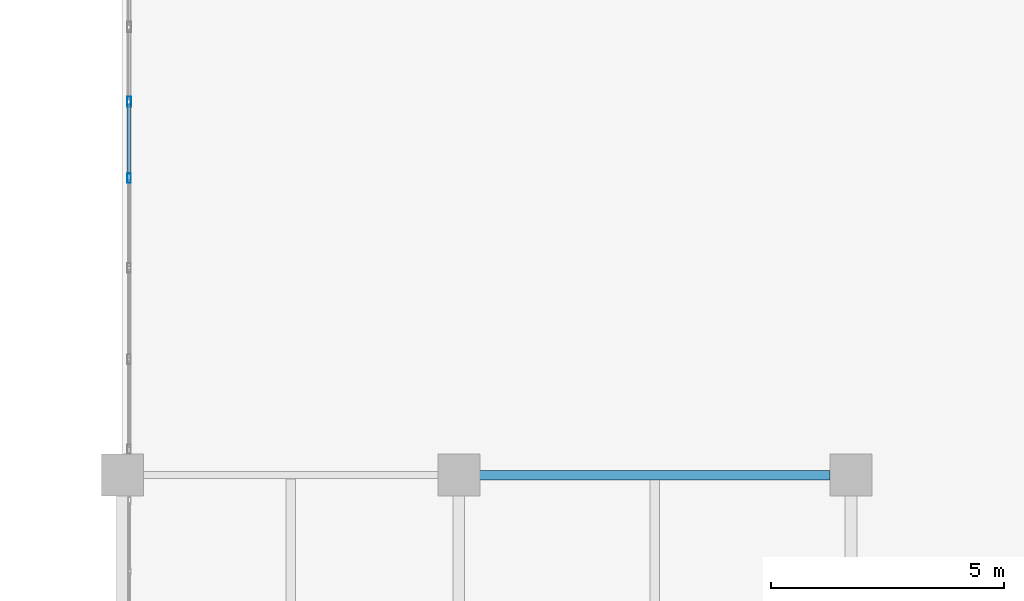
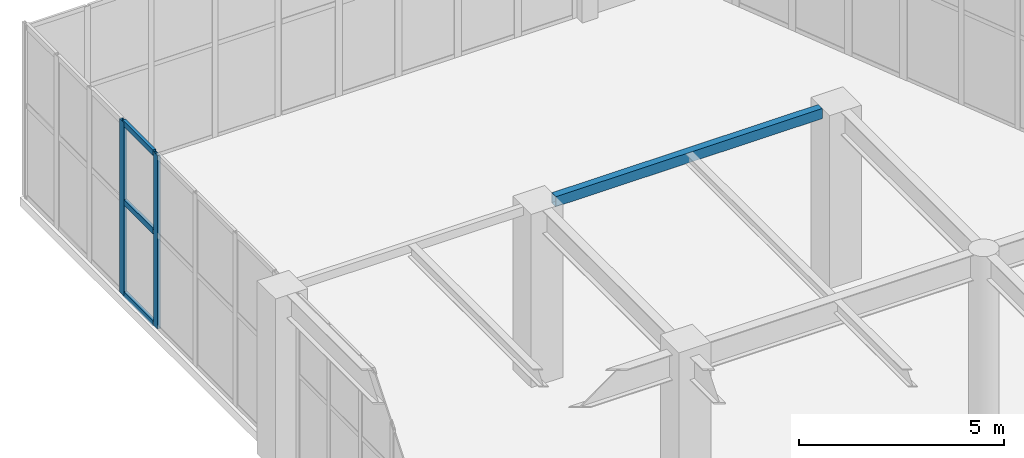
# One storey, part 61 of 139: 5 members, 1 beam, 2 elements without a shape of their own.
"""IFC4 building model written with IfcOpenShell, lengths in metres."""

from ifc_helpers import new_model, si_unit, direction, frame, origin, origin_2d, place, context, subcontext, project, spatial, hollow_rectangle, extrude, material, layer, layer_set, material_profile, profile_set, type_object, element, aggregate, save


model = new_model("IFC4")

# Units and contexts
model_context = context("Model", 3, precision=1e-05, world=origin(), true_north=direction((0.0, 1.0)))
body_context = subcontext(model_context, "Body", "Model", "MODEL_VIEW")
ifc_project = project(units=[si_unit("LENGTHUNIT", "METRE"), si_unit("AREAUNIT", "SQUARE_METRE"), si_unit("VOLUMEUNIT", "CUBIC_METRE"), si_unit("PLANEANGLEUNIT", "RADIAN"), si_unit("MASSUNIT", "GRAM", prefix="KILO")], contexts=[model_context])

# Site, building, storey
site_placement = place(None, origin())
site = spatial("IfcSite", under=ifc_project, at=site_placement, CompositionType="ELEMENT")
building_placement = place(site_placement, origin())
building = spatial("IfcBuilding", under=site, at=building_placement, Name="Xicomal Pleat Aquarium", CompositionType="ELEMENT")
storey_placement = place(building_placement, origin())
storey = spatial("IfcBuildingStorey", under=building, at=storey_placement, Name="L01", CompositionType="ELEMENT", Elevation=0.0)

# Beam
ifc_material_1 = material(Name="Structural steel A500 Gr C", Category="steel")
ifc_material_profile_1 = material_profile(ifc_material_1, hollow_rectangle(XDim=0.199951171875, YDim=0.300048828125, WallThickness=0.011962890625, at=origin_2d()), Name="OR 300x200x12")
ifc_profile_set_1 = profile_set([ifc_material_profile_1], Name="Structural steel A500 Gr C")
beam_type = type_object("IfcBeamType", Name="BM-STL-OR300", PredefinedType="SPANDREL", material=ifc_profile_set_1)
beam_placement = place(storey_placement, frame((10.64501953125, 98.39990234375, 5.010009765625), z_axis=(1.0, 0.0, 0.0), x_axis=(0.0, 1.0, 0.0)))
element("IfcBeam", 1, at=beam_placement, inside=storey, type_object=beam_type, Name="L01 framing beam FGX-L01-02-03-P", PredefinedType="SPANDREL", context=body_context, shape_type="SweptSolid", body=[
    extrude(hollow_rectangle(XDim=0.199951171875, YDim=0.300048828125, WallThickness=0.011962890625, at=origin_2d()), origin(), (0.0, 0.0, 1.0), 7.510009765625),
])

# Curtain wall, member
ifc_material_2 = material(Name="Bronze anodized aluminium 6063-T6", Category="aluminium")
ifc_layer_1 = layer(ifc_material_2, 0.159912109375)
ifc_layer_set_1 = layer_set([ifc_layer_1], Name="Bronze anodized aluminium 6063-T6")
curtain_wall_type_1 = type_object("IfcCurtainWallType", Name="CW-SYS-06", PredefinedType="NOTDEFINED", material=ifc_layer_set_1)
curtain_wall_1_placement = place(storey_placement, origin())
curtain_wall_1 = element("IfcCurtainWall", 2, at=curtain_wall_1_placement, inside=storey, type_object=curtain_wall_type_1, Name="L01 unitised curtain wall CW-L01-013", PredefinedType="NOTDEFINED")
ifc_material_3 = material(Name="Bronze anodized aluminium 6063-T6", Category="aluminium")
ifc_material_profile_2 = material_profile(ifc_material_3, hollow_rectangle(XDim=0.074951171875, YDim=0.199951171875, WallThickness=0.00439453125, at=origin_2d()), Name="ALU MULL 75x200")
ifc_profile_set_2 = profile_set([ifc_material_profile_2], Name="Bronze anodized aluminium 6063-T6")
member_type_1 = type_object("IfcMemberType", Name="CWM-75x200", PredefinedType="MULLION", material=ifc_profile_set_2)
member_1_placement = place(storey_placement, frame((3.139892578125, 104.762451171875, 0.0), z_axis=(0.0, 0.0, 1.0), x_axis=(-1.0, 0.0, 0.0)))
member_1 = element("IfcMember", 3, at=member_1_placement, type_object=member_type_1, Name="CW-06 mullion 4", PredefinedType="MULLION", context=body_context, shape_type="SweptSolid", body=[
    extrude(hollow_rectangle(XDim=0.074951171875, YDim=0.199951171875, WallThickness=0.00439453125, at=origin_2d()), origin(), (0.0, 0.0, 1.0), 5.159912109375),
])
aggregate(curtain_wall_1, [member_1])

# Curtain wall, members
ifc_material_4 = material(Name="Bronze anodized aluminium 6063-T6", Category="aluminium")
ifc_layer_2 = layer(ifc_material_4, 0.159912109375)
ifc_layer_set_2 = layer_set([ifc_layer_2], Name="Bronze anodized aluminium 6063-T6")
curtain_wall_type_2 = type_object("IfcCurtainWallType", Name="CW-SYS-11", PredefinedType="NOTDEFINED", material=ifc_layer_set_2)
curtain_wall_2_placement = place(storey_placement, origin())
curtain_wall_2 = element("IfcCurtainWall", 4, at=curtain_wall_2_placement, inside=storey, type_object=curtain_wall_type_2, Name="L01 unitised curtain wall CW-L01-014", PredefinedType="NOTDEFINED")
ifc_material_5 = material(Name="Bronze anodized aluminium 6063-T6", Category="aluminium")
ifc_material_profile_3 = material_profile(ifc_material_5, hollow_rectangle(XDim=0.0849609375, YDim=0.219970703125, WallThickness=0.0048828125, at=origin_2d()), Name="ALU MULL 85x220")
ifc_profile_set_3 = profile_set([ifc_material_profile_3], Name="Bronze anodized aluminium 6063-T6")
member_type_2 = type_object("IfcMemberType", Name="CWM-85x220", PredefinedType="MULLION", material=ifc_profile_set_3)
member_2_placement = place(storey_placement, frame((3.139892578125, 106.39990234375, 0.0), z_axis=(0.0, 0.0, 1.0), x_axis=(-1.0, 0.0, 0.0)))
member_2 = element("IfcMember", 5, at=member_2_placement, type_object=member_type_2, Name="CW-11 mullion 2", PredefinedType="MULLION", context=body_context, shape_type="SweptSolid", body=[
    extrude(hollow_rectangle(XDim=0.0849609375, YDim=0.219970703125, WallThickness=0.0048828125, at=origin_2d()), origin(), (0.0, 0.0, 1.0), 5.159912109375),
])
ifc_material_6 = material(Name="Bronze anodized aluminium 6063-T6", Category="aluminium")
ifc_material_profile_4 = material_profile(ifc_material_6, hollow_rectangle(XDim=0.0849609375, YDim=0.169921875, WallThickness=0.0048828125, at=origin_2d()), Name="ALU TRAN 85x170")
ifc_profile_set_4 = profile_set([ifc_material_profile_4], Name="Bronze anodized aluminium 6063-T6")
member_type_3 = type_object("IfcMemberType", Name="CWT-85x170", PredefinedType="USERDEFINED", material=ifc_profile_set_4)
member_3_placement = place(storey_placement, frame((3.139892578125, 104.885009765625, 0.04248046875), z_axis=(0.0, 1.0, 0.0), x_axis=(-1.0, 0.0, 0.0)))
member_3 = element("IfcMember", 6, at=member_3_placement, type_object=member_type_3, Name="CW-11 transom 1.1", ObjectType="TRANSOM", PredefinedType="USERDEFINED", context=body_context, shape_type="SweptSolid", body=[
    extrude(hollow_rectangle(XDim=0.0849609375, YDim=0.169921875, WallThickness=0.0048828125, at=origin_2d()), origin(), (0.0, 0.0, 1.0), 1.472412109375),
])
member_4_placement = place(storey_placement, frame((3.139892578125, 104.885009765625, 2.785888671875), z_axis=(0.0, 1.0, 0.0), x_axis=(-1.0, 0.0, 0.0)))
member_4 = element("IfcMember", 7, at=member_4_placement, type_object=member_type_3, Name="CW-11 transom 1.2", ObjectType="TRANSOM", PredefinedType="USERDEFINED", context=body_context, shape_type="SweptSolid", body=[
    extrude(hollow_rectangle(XDim=0.0849609375, YDim=0.169921875, WallThickness=0.0048828125, at=origin_2d()), origin(), (0.0, 0.0, 1.0), 1.472412109375),
])
member_5_placement = place(storey_placement, frame((3.139892578125, 104.885009765625, 5.117431640625), z_axis=(0.0, 1.0, 0.0), x_axis=(-1.0, 0.0, 0.0)))
member_5 = element("IfcMember", 8, at=member_5_placement, type_object=member_type_3, Name="CW-11 transom 1.3", ObjectType="TRANSOM", PredefinedType="USERDEFINED", context=body_context, shape_type="SweptSolid", body=[
    extrude(hollow_rectangle(XDim=0.0849609375, YDim=0.169921875, WallThickness=0.0048828125, at=origin_2d()), origin(), (0.0, 0.0, 1.0), 1.472412109375),
])
aggregate(curtain_wall_2, [member_2, member_3, member_4, member_5])

save(model, "model.ifc")
